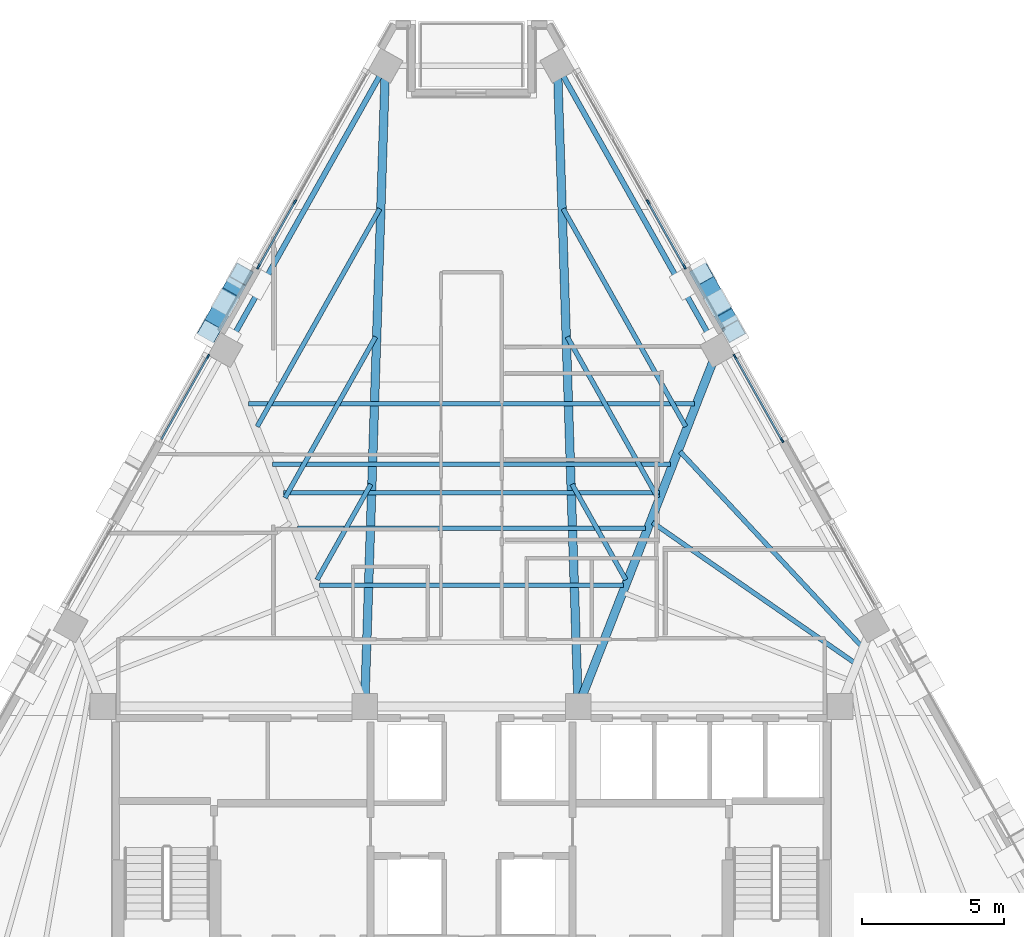
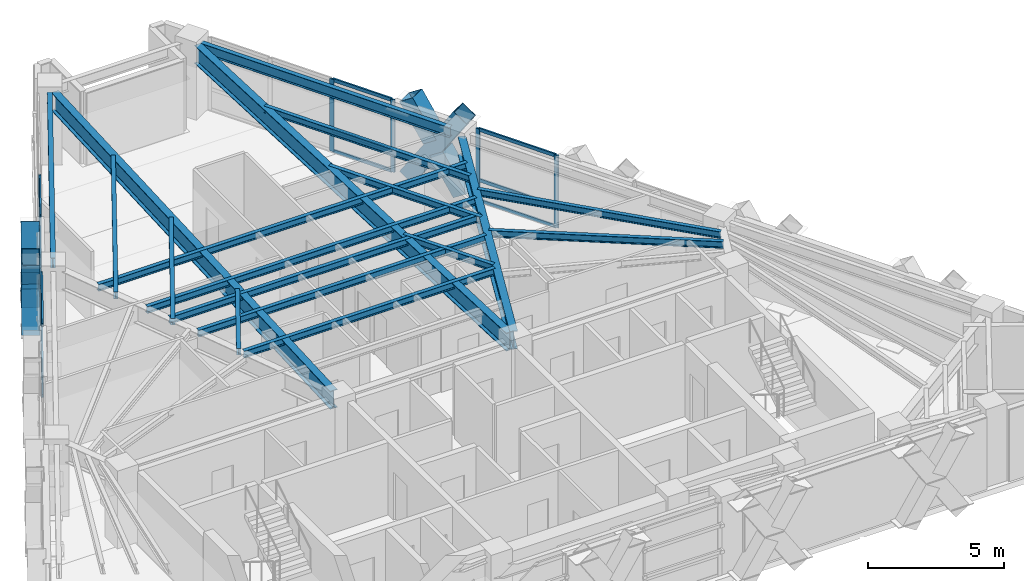
# One storey, part 4 of 15: 25 members, 18 beams, 4 elements without a shape of their own.
"""IFC4 building model written with IfcOpenShell, lengths in metres."""

from ifc_helpers import new_model, si_unit, direction, frame, origin, origin_2d, place, context, subcontext, project, spatial, rectangle, hollow_rectangle, i_section, extrude, material, material_profile, profile_set, type_object, element, aggregate, save


model = new_model("IFC4")

# Units and contexts
model_context = context("Model", 3, precision=1e-05, world=origin(), true_north=direction((0.0, 1.0)))
body_context = subcontext(model_context, "Body", "Model", "MODEL_VIEW")
ifc_project = project(units=[si_unit("LENGTHUNIT", "METRE"), si_unit("AREAUNIT", "SQUARE_METRE"), si_unit("VOLUMEUNIT", "CUBIC_METRE"), si_unit("PLANEANGLEUNIT", "RADIAN"), si_unit("MASSUNIT", "GRAM", prefix="KILO")], contexts=[model_context])

# Site, building, storey
site_placement = place(None, origin())
site = spatial("IfcSite", under=ifc_project, at=site_placement, CompositionType="ELEMENT")
building_placement = place(site_placement, origin())
building = spatial("IfcBuilding", under=site, at=building_placement, Name="Quenlor Broadcast Tower", CompositionType="ELEMENT")
storey_placement = place(building_placement, frame((0.0, 0.0, 183.39990234375)))
storey = spatial("IfcBuildingStorey", under=building, at=storey_placement, Name="L50", CompositionType="ELEMENT", Elevation=183.39990234375)

# Curtain wall, members
ifc_material_1 = material(Name="Architectural Terracotta and Low-E Glazing", Category="masonry")
curtain_wall_type = type_object("IfcCurtainWallType", Name="Unitised Terracotta Curtain Wall System Z4", PredefinedType="NOTDEFINED", material=ifc_material_1)
curtain_wall_1_placement = place(storey_placement, origin())
curtain_wall_1 = element("IfcCurtainWall", 1, at=curtain_wall_1_placement, inside=storey, type_object=curtain_wall_type, Name="L50 Curtain Wall CW4 (L50-NEA-G1)", PredefinedType="NOTDEFINED")
ifc_material_2 = material(Name="Aluminium 6063-T6", Category="aluminium")
ifc_material_profile_1 = material_profile(ifc_material_2, rectangle(XDim=0.068115234375, YDim=0.179931640625, at=origin_2d()))
ifc_profile_set_1 = profile_set([ifc_material_profile_1], Name="Aluminium 6063-T6 MULL68x180")
member_type_1 = type_object("IfcMemberType", Name="CW4 Aluminium Mullion MULL_CW4", PredefinedType="MULLION", material=ifc_profile_set_1)
member_1_placement = place(storey_placement, frame((6.203857421875, 12.911865234375, 0.0), z_axis=(0.0, 0.0, 1.0), x_axis=(0.871576890332, 0.490258833923, 0.0)))
member_1 = element("IfcMember", 2, at=member_1_placement, type_object=member_type_1, Name="CW4 mullion 3", PredefinedType="MULLION", context=body_context, shape_type="SweptSolid", body=[
    extrude(rectangle(XDim=0.068115234375, YDim=0.179931640625, at=origin_2d()), origin(), (0.0, 0.0, 1.0), 3.25),
])
member_2_placement = place(storey_placement, frame((7.477294921875, 10.64794921875, 0.0), z_axis=(0.0, 0.0, 1.0), x_axis=(0.871576890332, 0.490258833923, 0.0)))
member_2 = element("IfcMember", 3, at=member_2_placement, type_object=member_type_1, Name="CW4 mullion 4", PredefinedType="MULLION", context=body_context, shape_type="SweptSolid", body=[
    extrude(rectangle(XDim=0.068115234375, YDim=0.179931640625, at=origin_2d()), origin(), (0.0, 0.0, 1.0), 3.25),
])

curtain_wall_2_placement = place(storey_placement, origin())
curtain_wall_2 = element("IfcCurtainWall", 4, at=curtain_wall_2_placement, inside=storey, type_object=curtain_wall_type, Name="L50 Curtain Wall CW4 (L50-NE-G1)", PredefinedType="NOTDEFINED")
member_3_placement = place(storey_placement, frame((9.257080078125, 7.484130859375, 0.0), z_axis=(0.0, 0.0, 1.0), x_axis=(0.871577871382, 0.490257089819, 0.0)))
member_3 = element("IfcMember", 5, at=member_3_placement, type_object=member_type_1, Name="CW4 mullion 1", PredefinedType="MULLION", context=body_context, shape_type="SweptSolid", body=[
    extrude(rectangle(XDim=0.068115234375, YDim=0.179931640625, at=origin_2d()), origin(), (0.0, 0.0, 1.0), 3.25),
])
member_4_placement = place(storey_placement, frame((10.906494140625, 4.5517578125, 0.0), z_axis=(0.0, 0.0, 1.0), x_axis=(0.871577871382, 0.490257089819, 0.0)))
member_4 = element("IfcMember", 6, at=member_4_placement, type_object=member_type_1, Name="CW4 mullion 2", PredefinedType="MULLION", context=body_context, shape_type="SweptSolid", body=[
    extrude(rectangle(XDim=0.068115234375, YDim=0.179931640625, at=origin_2d()), origin(), (0.0, 0.0, 1.0), 3.25),
])

curtain_wall_3_placement = place(storey_placement, origin())
curtain_wall_3 = element("IfcCurtainWall", 7, at=curtain_wall_3_placement, inside=storey, type_object=curtain_wall_type, Name="L50 Curtain Wall CW4 (L50-NWC-G1)", PredefinedType="NOTDEFINED")
member_5_placement = place(storey_placement, frame((-7.477294921875, 10.64794921875, 0.0), z_axis=(0.0, 0.0, 1.0), x_axis=(-0.871576890332, 0.490258833923, 0.0)))
member_5 = element("IfcMember", 8, at=member_5_placement, type_object=member_type_1, Name="CW4 mullion 1", PredefinedType="MULLION", context=body_context, shape_type="SweptSolid", body=[
    extrude(rectangle(XDim=0.068115234375, YDim=0.179931640625, at=origin_2d()), origin(), (0.0, 0.0, 1.0), 3.25),
])
member_6_placement = place(storey_placement, frame((-6.203857421875, 12.911865234375, 0.0), z_axis=(0.0, 0.0, 1.0), x_axis=(-0.871576890332, 0.490258833923, 0.0)))
member_6 = element("IfcMember", 9, at=member_6_placement, type_object=member_type_1, Name="CW4 mullion 2", PredefinedType="MULLION", context=body_context, shape_type="SweptSolid", body=[
    extrude(rectangle(XDim=0.068115234375, YDim=0.179931640625, at=origin_2d()), origin(), (0.0, 0.0, 1.0), 3.25),
])

# Curtain wall, member
curtain_wall_4_placement = place(storey_placement, origin())
curtain_wall_4 = element("IfcCurtainWall", 10, at=curtain_wall_4_placement, inside=storey, type_object=curtain_wall_type, Name="L50 Curtain Wall CW4 (L50-NW-G2)", PredefinedType="NOTDEFINED")
member_7_placement = place(storey_placement, frame((-9.257080078125, 7.484130859375, 0.0), z_axis=(0.0, 0.0, 1.0), x_axis=(-0.871577871382, 0.490257089819, 0.0)))
member_7 = element("IfcMember", 11, at=member_7_placement, type_object=member_type_1, Name="CW4 mullion 2", PredefinedType="MULLION", context=body_context, shape_type="SweptSolid", body=[
    extrude(rectangle(XDim=0.068115234375, YDim=0.179931640625, at=origin_2d()), origin(), (0.0, 0.0, 1.0), 3.25),
])

# Member
ifc_material_3 = material(Name="Aluminium 6063-T6", Category="aluminium")
ifc_material_profile_2 = material_profile(ifc_material_3, rectangle(XDim=0.068115234375, YDim=0.14990234375, at=origin_2d()))
ifc_profile_set_2 = profile_set([ifc_material_profile_2], Name="Aluminium 6063-T6 TRAN68x150")
member_type_2 = type_object("IfcMemberType", Name="CW4 Aluminium Transom TRAN_CW4", PredefinedType="USERDEFINED", material=ifc_profile_set_2)
member_8_placement = place(storey_placement, frame((6.220703125, 12.882080078125, 0.0341796875), z_axis=(0.490233743591, -0.871591003077, 0.0), x_axis=(0.871591003077, 0.490233743591, 0.0)))
member_8 = element("IfcMember", 12, at=member_8_placement, type_object=member_type_2, Name="CW4 transom 3.1", ObjectType="TRANSOM", PredefinedType="USERDEFINED", context=body_context, shape_type="SweptSolid", body=[
    extrude(rectangle(XDim=0.068115234375, YDim=0.14990234375, at=origin_2d()), origin(), (0.0, 0.0, 1.0), 2.529296875),
])

member_9_placement = place(storey_placement, frame((6.220703125, 12.882080078125, 0.9501953125), z_axis=(0.490233743591, -0.871591003077, 0.0), x_axis=(0.871591003077, 0.490233743591, 0.0)))
member_9 = element("IfcMember", 13, at=member_9_placement, type_object=member_type_2, Name="CW4 transom 3.2", ObjectType="TRANSOM", PredefinedType="USERDEFINED", context=body_context, shape_type="SweptSolid", body=[
    extrude(rectangle(XDim=0.068115234375, YDim=0.14990234375, at=origin_2d()), origin(), (0.0, 0.0, 1.0), 2.529296875),
])

member_10_placement = place(storey_placement, frame((6.220703125, 12.882080078125, 3.216064453125), z_axis=(0.490233743591, -0.871591003077, 0.0), x_axis=(0.871591003077, 0.490233743591, 0.0)))
member_10 = element("IfcMember", 14, at=member_10_placement, type_object=member_type_2, Name="CW4 transom 3.3", ObjectType="TRANSOM", PredefinedType="USERDEFINED", context=body_context, shape_type="SweptSolid", body=[
    extrude(rectangle(XDim=0.068115234375, YDim=0.14990234375, at=origin_2d()), origin(), (0.0, 0.0, 1.0), 2.529296875),
])

aggregate(curtain_wall_1, [member_1, member_2, member_8, member_9, member_10])

member_11_placement = place(storey_placement, frame((9.273681640625, 7.454345703125, 0.0341796875), z_axis=(0.490264756272, -0.871573559005, 0.0), x_axis=(0.871573559005, 0.490264756272, 0.0)))
member_11 = element("IfcMember", 15, at=member_11_placement, type_object=member_type_2, Name="CW4 transom 1.1", ObjectType="TRANSOM", PredefinedType="USERDEFINED", context=body_context, shape_type="SweptSolid", body=[
    extrude(rectangle(XDim=0.068115234375, YDim=0.14990234375, at=origin_2d()), origin(), (0.0, 0.0, 1.0), 3.296142578125),
])

member_12_placement = place(storey_placement, frame((9.273681640625, 7.454345703125, 0.9501953125), z_axis=(0.490264756272, -0.871573559005, 0.0), x_axis=(0.871573559005, 0.490264756272, 0.0)))
member_12 = element("IfcMember", 16, at=member_12_placement, type_object=member_type_2, Name="CW4 transom 1.2", ObjectType="TRANSOM", PredefinedType="USERDEFINED", context=body_context, shape_type="SweptSolid", body=[
    extrude(rectangle(XDim=0.068115234375, YDim=0.14990234375, at=origin_2d()), origin(), (0.0, 0.0, 1.0), 3.296142578125),
])

member_13_placement = place(storey_placement, frame((9.273681640625, 7.454345703125, 3.216064453125), z_axis=(0.490264756272, -0.871573559005, 0.0), x_axis=(0.871573559005, 0.490264756272, 0.0)))
member_13 = element("IfcMember", 17, at=member_13_placement, type_object=member_type_2, Name="CW4 transom 1.3", ObjectType="TRANSOM", PredefinedType="USERDEFINED", context=body_context, shape_type="SweptSolid", body=[
    extrude(rectangle(XDim=0.068115234375, YDim=0.14990234375, at=origin_2d()), origin(), (0.0, 0.0, 1.0), 3.296142578125),
])

aggregate(curtain_wall_2, [member_3, member_4, member_11, member_12, member_13])

member_14_placement = place(storey_placement, frame((-7.460693359375, 10.677490234375, 0.0341796875), z_axis=(0.490233743591, 0.871591003077, 0.0), x_axis=(-0.871591003077, 0.490233743591, 0.0)))
member_14 = element("IfcMember", 18, at=member_14_placement, type_object=member_type_2, Name="CW4 transom 1.1", ObjectType="TRANSOM", PredefinedType="USERDEFINED", context=body_context, shape_type="SweptSolid", body=[
    extrude(rectangle(XDim=0.068115234375, YDim=0.14990234375, at=origin_2d()), origin(), (0.0, 0.0, 1.0), 2.529296875),
])

member_15_placement = place(storey_placement, frame((-7.460693359375, 10.677490234375, 0.9501953125), z_axis=(0.490233743591, 0.871591003077, 0.0), x_axis=(-0.871591003077, 0.490233743591, 0.0)))
member_15 = element("IfcMember", 19, at=member_15_placement, type_object=member_type_2, Name="CW4 transom 1.2", ObjectType="TRANSOM", PredefinedType="USERDEFINED", context=body_context, shape_type="SweptSolid", body=[
    extrude(rectangle(XDim=0.068115234375, YDim=0.14990234375, at=origin_2d()), origin(), (0.0, 0.0, 1.0), 2.529296875),
])

member_16_placement = place(storey_placement, frame((-7.460693359375, 10.677490234375, 3.216064453125), z_axis=(0.490233743591, 0.871591003077, 0.0), x_axis=(-0.871591003077, 0.490233743591, 0.0)))
member_16 = element("IfcMember", 20, at=member_16_placement, type_object=member_type_2, Name="CW4 transom 1.3", ObjectType="TRANSOM", PredefinedType="USERDEFINED", context=body_context, shape_type="SweptSolid", body=[
    extrude(rectangle(XDim=0.068115234375, YDim=0.14990234375, at=origin_2d()), origin(), (0.0, 0.0, 1.0), 2.529296875),
])

aggregate(curtain_wall_3, [member_5, member_6, member_14, member_15, member_16])

member_17_placement = place(storey_placement, frame((-10.8896484375, 4.58154296875, 0.0341796875), z_axis=(0.490264756272, 0.871573559005, 0.0), x_axis=(-0.871573559005, 0.490264756272, 0.0)))
member_17 = element("IfcMember", 21, at=member_17_placement, type_object=member_type_2, Name="CW4 transom 1.1", ObjectType="TRANSOM", PredefinedType="USERDEFINED", context=body_context, shape_type="SweptSolid", body=[
    extrude(rectangle(XDim=0.068115234375, YDim=0.14990234375, at=origin_2d()), origin(), (0.0, 0.0, 1.0), 3.296142578125),
])

member_18_placement = place(storey_placement, frame((-10.8896484375, 4.58154296875, 0.9501953125), z_axis=(0.490264756272, 0.871573559005, 0.0), x_axis=(-0.871573559005, 0.490264756272, 0.0)))
member_18 = element("IfcMember", 22, at=member_18_placement, type_object=member_type_2, Name="CW4 transom 1.2", ObjectType="TRANSOM", PredefinedType="USERDEFINED", context=body_context, shape_type="SweptSolid", body=[
    extrude(rectangle(XDim=0.068115234375, YDim=0.14990234375, at=origin_2d()), origin(), (0.0, 0.0, 1.0), 3.296142578125),
])

member_19_placement = place(storey_placement, frame((-10.8896484375, 4.58154296875, 3.216064453125), z_axis=(0.490264756272, 0.871573559005, 0.0), x_axis=(-0.871573559005, 0.490264756272, 0.0)))
member_19 = element("IfcMember", 23, at=member_19_placement, type_object=member_type_2, Name="CW4 transom 1.3", ObjectType="TRANSOM", PredefinedType="USERDEFINED", context=body_context, shape_type="SweptSolid", body=[
    extrude(rectangle(XDim=0.068115234375, YDim=0.14990234375, at=origin_2d()), origin(), (0.0, 0.0, 1.0), 3.296142578125),
])

aggregate(curtain_wall_4, [member_7, member_17, member_18, member_19])

# Members
ifc_material_4 = material(Name="Steel S355", Category="steel")
ifc_material_profile_3 = material_profile(ifc_material_4, hollow_rectangle(XDim=0.679931640625, YDim=0.679931640625, WallThickness=0.02490234375, at=origin_2d()))
ifc_profile_set_3 = profile_set([ifc_material_profile_3], Name="Steel S355 RHS680x680x25")
member_type_3 = type_object("IfcMemberType", Name="Perimeter Diagonal Lattice Brace Z3-Z4 Steel S355 RHS680x25", PredefinedType="BRACE", material=ifc_profile_set_3)
member_20_placement = place(storey_placement, frame((8.079345703125, 10.38330078125, -0.119873046875), z_axis=(0.269547055694, -0.479136497832, 0.835327840559), x_axis=(0.871550060774, 0.49030652817, 0.0)))
element("IfcMember", 24, at=member_20_placement, inside=storey, type_object=member_type_3, Name="L50 Perimeter Diamond Lattice NE-C2XA", PredefinedType="BRACE", context=body_context, shape_type="SweptSolid", body=[
    extrude(hollow_rectangle(XDim=0.679931640625, YDim=0.679931640625, WallThickness=0.02490234375, at=origin_2d()), origin(), (0.0, 0.0, 1.0), 4.18994140625),
])
for number, where, z_axis, x_axis, name in (
    (25, (9.208740234375, 8.375732421875, -0.119873046875), (-0.269535527865, 0.479130165145, 0.835335192642), (-0.871556252289, -0.490295522207, 0.0), "L50 Perimeter Diamond Lattice NE-C2XB1"),
    (26, (8.57666015625, 9.499267578125, 1.8388671875), (-0.269535527865, 0.479130165145, 0.835335192642), (-0.871556252289, -0.490295522207, 0.0), "L50 Perimeter Diamond Lattice NE-C2XB2"),
):
    element("IfcMember", number, at=place(storey_placement, frame(where, z_axis=z_axis, x_axis=x_axis)), inside=storey, type_object=member_type_3, Name=name, PredefinedType="BRACE", context=body_context, shape_type="SweptSolid", body=[
        extrude(hollow_rectangle(XDim=0.679931640625, YDim=0.679931640625, WallThickness=0.02490234375, at=origin_2d()), origin(), (0.0, 0.0, 1.0), 1.844970703125),
    ])
member_21_placement = place(storey_placement, frame((-9.208740234375, 8.375732421875, -0.119873046875), z_axis=(0.269547055694, 0.479136497832, 0.835327840559), x_axis=(-0.871550060774, 0.49030652817, 0.0)))
element("IfcMember", 27, at=member_21_placement, inside=storey, type_object=member_type_3, Name="L50 Perimeter Diamond Lattice NW-C4XA", PredefinedType="BRACE", context=body_context, shape_type="SweptSolid", body=[
    extrude(hollow_rectangle(XDim=0.679931640625, YDim=0.679931640625, WallThickness=0.02490234375, at=origin_2d()), origin(), (0.0, 0.0, 1.0), 4.18994140625),
])
for number, where, z_axis, x_axis, name in (
    (28, (-8.079345703125, 10.38330078125, -0.119873046875), (-0.269535527865, -0.479130165145, 0.835335192642), (0.871556252289, -0.490295522207, 0.0), "L50 Perimeter Diamond Lattice NW-C4XB1"),
    (29, (-8.71142578125, 9.259765625, 1.8388671875), (-0.269535527865, -0.479130165145, 0.835335192642), (0.871556252289, -0.490295522207, 0.0), "L50 Perimeter Diamond Lattice NW-C4XB2"),
):
    element("IfcMember", number, at=place(storey_placement, frame(where, z_axis=z_axis, x_axis=x_axis)), inside=storey, type_object=member_type_3, Name=name, PredefinedType="BRACE", context=body_context, shape_type="SweptSolid", body=[
        extrude(hollow_rectangle(XDim=0.679931640625, YDim=0.679931640625, WallThickness=0.02490234375, at=origin_2d()), origin(), (0.0, 0.0, 1.0), 1.844970703125),
    ])

# Beams
ifc_material_5 = material(Name="Steel S355", Category="steel")
ifc_material_profile_4 = material_profile(ifc_material_5, i_section(OverallWidth=0.18994140625, OverallDepth=0.453857421875, WebThickness=0.008544921875, FlangeThickness=0.0126953125, FilletRadius=0.011474609375, at=origin_2d()))
ifc_profile_set_4 = profile_set([ifc_material_profile_4], Name="Steel S355 460UB67.1")
beam_type_1 = type_object("IfcBeamType", Name="Perimeter Spandrel Beam Z4 Steel S355 460UB67.1", PredefinedType="SPANDREL", material=ifc_profile_set_4)
for number, where, z_axis, x_axis, name in (
    (30, (8.438720703125, 8.072265625, 3.023193359375), (-0.490281935429, 0.871563895415, 0.0), (-0.871563895415, -0.490281935429, 0.0), "L50 Spandrel Beam NE3-NE4"),
    (31, (-3.221435546875, 17.346923828125, 3.023193359375), (-0.490281935429, -0.871563895415, 0.0), (0.871563895415, -0.490281935429, 0.0), "L50 Spandrel Beam NW1-NW2"),
):
    element("IfcBeam", number, at=place(storey_placement, frame(where, z_axis=z_axis, x_axis=x_axis)), inside=storey, type_object=beam_type_1, Name=name, PredefinedType="SPANDREL", context=body_context, shape_type="SweptSolid", body=[
        extrude(i_section(OverallWidth=0.18994140625, OverallDepth=0.453857421875, WebThickness=0.008544921875, FlangeThickness=0.0126953125, FilletRadius=0.011474609375, at=origin_2d()), origin(), (0.0, 0.0, 1.0), 10.641357421875),
    ])
ifc_material_6 = material(Name="Steel S355", Category="steel")
ifc_material_profile_5 = material_profile(ifc_material_6, i_section(OverallWidth=0.300048828125, OverallDepth=0.81591796875, WebThickness=0.013916015625, FlangeThickness=0.028076171875, FilletRadius=0.013916015625, at=origin_2d()))
ifc_profile_set_5 = profile_set([ifc_material_profile_5], Name="Steel S355 800WB192")
beam_type_2 = type_object("IfcBeamType", Name="Sky Lobby Primary Girder Steel S355 800WB192", PredefinedType="BEAM", material=ifc_profile_set_5)
beam_1_placement = place(storey_placement, frame((8.490478515625, 7.3330078125, 2.842041015625), z_axis=(-0.363926160921, -0.931427801495, 0.0), x_axis=(0.931427801495, -0.363926160921, 0.0)))
element("IfcBeam", 32, at=beam_1_placement, inside=storey, type_object=beam_type_2, Name="L50 Primary Radial Beam NE3", PredefinedType="BEAM", context=body_context, shape_type="SweptSolid", body=[
    extrude(i_section(OverallWidth=0.300048828125, OverallDepth=0.81591796875, WebThickness=0.013916015625, FlangeThickness=0.028076171875, FilletRadius=0.013916015625, at=origin_2d()), origin(), (0.0, 0.0, 1.0), 12.646240234375),
])
for number, where, z_axis, x_axis, name in (
    (33, (3.03369140625, 17.29443359375, 2.842041015625), (0.032408228632, -0.999474715397, 0.0), (0.999474715397, 0.032408228632, 0.0), "L50 Primary Radial Beam NE4"),
    (34, (-3.03369140625, 17.29443359375, 2.842041015625), (-0.032408228632, -0.999474715397, 0.0), (0.999474715397, -0.032408228632, 0.0), "L50 Primary Radial Beam NW1"),
):
    element("IfcBeam", number, at=place(storey_placement, frame(where, z_axis=z_axis, x_axis=x_axis)), inside=storey, type_object=beam_type_2, Name=name, PredefinedType="BEAM", context=body_context, shape_type="SweptSolid", body=[
        extrude(i_section(OverallWidth=0.300048828125, OverallDepth=0.81591796875, WebThickness=0.013916015625, FlangeThickness=0.028076171875, FilletRadius=0.013916015625, at=origin_2d()), origin(), (0.0, 0.0, 1.0), 21.72607421875),
    ])
ifc_material_7 = material(Name="Steel S355", Category="steel")
ifc_material_profile_6 = material_profile(ifc_material_7, i_section(OverallWidth=0.166015625, OverallDepth=0.30712890625, WebThickness=0.006591796875, FlangeThickness=0.01171875, FilletRadius=0.011474609375, at=origin_2d()))
ifc_profile_set_6 = profile_set([ifc_material_profile_6], Name="Steel S355 310UB46.2")
beam_type_3 = type_object("IfcBeamType", Name="Tower Composite Joist Z4-Z5 Steel S355 310UB46.2", PredefinedType="JOIST", material=ifc_profile_set_6)
beam_2_placement = place(storey_placement, frame((-6.603759765625, 2.708984375, 3.096435546875), z_axis=(1.0, 0.0, 0.0), x_axis=(0.0, 1.0, 0.0)))
element("IfcBeam", 35, at=beam_2_placement, inside=storey, type_object=beam_type_3, Name="L50 Secondary Composite Joist 2", PredefinedType="JOIST", context=body_context, shape_type="SweptSolid", body=[
    extrude(i_section(OverallWidth=0.166015625, OverallDepth=0.30712890625, WebThickness=0.006591796875, FlangeThickness=0.01171875, FilletRadius=0.011474609375, at=origin_2d()), origin(), (0.0, 0.0, 1.0), 13.20751953125),
])
beam_3_placement = place(storey_placement, frame((-5.33251953125, -0.544921875, 3.096435546875), z_axis=(1.0, 0.0, 0.0), x_axis=(0.0, 1.0, 0.0)))
element("IfcBeam", 36, at=beam_3_placement, inside=storey, type_object=beam_type_3, Name="L50 Secondary Composite Joist 3", PredefinedType="JOIST", context=body_context, shape_type="SweptSolid", body=[
    extrude(i_section(OverallWidth=0.166015625, OverallDepth=0.30712890625, WebThickness=0.006591796875, FlangeThickness=0.01171875, FilletRadius=0.011474609375, at=origin_2d()), origin(), (0.0, 0.0, 1.0), 10.6650390625),
])
beam_4_placement = place(storey_placement, frame((-6.11474609375, 1.45751953125, 3.096435546875), z_axis=(1.0, 0.0, 0.0), x_axis=(0.0, 1.0, 0.0)))
element("IfcBeam", 37, at=beam_4_placement, inside=storey, type_object=beam_type_3, Name="L50 Secondary Composite Joist 4", PredefinedType="JOIST", context=body_context, shape_type="SweptSolid", body=[
    extrude(i_section(OverallWidth=0.166015625, OverallDepth=0.30712890625, WebThickness=0.006591796875, FlangeThickness=0.01171875, FilletRadius=0.011474609375, at=origin_2d()), origin(), (0.0, 0.0, 1.0), 12.2294921875),
])
beam_5_placement = place(storey_placement, frame((-6.994873046875, 3.710205078125, 3.096435546875), z_axis=(1.0, 0.0, 0.0), x_axis=(0.0, 1.0, 0.0)))
element("IfcBeam", 38, at=beam_5_placement, inside=storey, type_object=beam_type_3, Name="L50 Secondary Composite Joist 5", PredefinedType="JOIST", context=body_context, shape_type="SweptSolid", body=[
    extrude(i_section(OverallWidth=0.166015625, OverallDepth=0.30712890625, WebThickness=0.006591796875, FlangeThickness=0.01171875, FilletRadius=0.011474609375, at=origin_2d()), origin(), (0.0, 0.0, 1.0), 13.98974609375),
])
beam_6_placement = place(storey_placement, frame((-7.826171875, 5.837646484375, 3.096435546875), z_axis=(1.0, 0.0, 0.0), x_axis=(0.0, 1.0, 0.0)))
element("IfcBeam", 39, at=beam_6_placement, inside=storey, type_object=beam_type_3, Name="L50 Secondary Composite Joist 6", PredefinedType="JOIST", context=body_context, shape_type="SweptSolid", body=[
    extrude(i_section(OverallWidth=0.166015625, OverallDepth=0.30712890625, WebThickness=0.006591796875, FlangeThickness=0.01171875, FilletRadius=0.011474609375, at=origin_2d()), origin(), (0.0, 0.0, 1.0), 15.65234375),
])
beam_7_placement = place(storey_placement, frame((13.470458984375, -3.273681640625, 3.096435546875), z_axis=(-0.821539857981, 0.570151086773, 0.0), x_axis=(-0.570151086773, -0.821539857981, 0.0)))
element("IfcBeam", 40, at=beam_7_placement, inside=storey, type_object=beam_type_3, Name="L50 Secondary Composite Joist 11", PredefinedType="JOIST", context=body_context, shape_type="SweptSolid", body=[
    extrude(i_section(OverallWidth=0.166015625, OverallDepth=0.30712890625, WebThickness=0.006591796875, FlangeThickness=0.01171875, FilletRadius=0.011474609375, at=origin_2d()), origin(), (0.0, 0.0, 1.0), 8.656982421875),
])
beam_8_placement = place(storey_placement, frame((13.707275390625, -2.691162109375, 3.096435546875), z_axis=(-0.682034672805, 0.731319837754, 0.0), x_axis=(-0.731319837754, -0.682034672805, 0.0)))
element("IfcBeam", 41, at=beam_8_placement, inside=storey, type_object=beam_type_3, Name="L50 Secondary Composite Joist 12", PredefinedType="JOIST", context=body_context, shape_type="SweptSolid", body=[
    extrude(i_section(OverallWidth=0.166015625, OverallDepth=0.30712890625, WebThickness=0.006591796875, FlangeThickness=0.01171875, FilletRadius=0.011474609375, at=origin_2d()), origin(), (0.0, 0.0, 1.0), 9.357421875),
])
beam_9_placement = place(storey_placement, frame((-3.533935546875, 3.0068359375, 3.096435546875), z_axis=(-0.490243182397, -0.871585694073, 0.0), x_axis=(0.871585694073, -0.490243182397, 0.0)))
element("IfcBeam", 42, at=beam_9_placement, inside=storey, type_object=beam_type_3, Name="L50 Secondary Composite Joist 25", PredefinedType="JOIST", context=body_context, shape_type="SweptSolid", body=[
    extrude(i_section(OverallWidth=0.166015625, OverallDepth=0.30712890625, WebThickness=0.006591796875, FlangeThickness=0.01171875, FilletRadius=0.011474609375, at=origin_2d()), origin(), (0.0, 0.0, 1.0), 3.8515625),
])
beam_10_placement = place(storey_placement, frame((-3.3662109375, 8.182861328125, 3.096435546875), z_axis=(-0.490230865807, -0.871592621705, 0.0), x_axis=(0.871592621705, -0.490230865807, 0.0)))
element("IfcBeam", 43, at=beam_10_placement, inside=storey, type_object=beam_type_3, Name="L50 Secondary Composite Joist 26", PredefinedType="JOIST", context=body_context, shape_type="SweptSolid", body=[
    extrude(i_section(OverallWidth=0.166015625, OverallDepth=0.30712890625, WebThickness=0.006591796875, FlangeThickness=0.01171875, FilletRadius=0.011474609375, at=origin_2d()), origin(), (0.0, 0.0, 1.0), 6.487548828125),
])
beam_11_placement = place(storey_placement, frame((-3.22021484375, 12.68359375, 3.096435546875), z_axis=(-0.490261239633, -0.871575537125, 0.0), x_axis=(0.871575537125, -0.490261239633, 0.0)))
element("IfcBeam", 44, at=beam_11_placement, inside=storey, type_object=beam_type_3, Name="L50 Secondary Composite Joist 27", PredefinedType="JOIST", context=body_context, shape_type="SweptSolid", body=[
    extrude(i_section(OverallWidth=0.166015625, OverallDepth=0.30712890625, WebThickness=0.006591796875, FlangeThickness=0.01171875, FilletRadius=0.011474609375, at=origin_2d()), origin(), (0.0, 0.0, 1.0), 8.77978515625),
])
beam_12_placement = place(storey_placement, frame((3.533935546875, 3.0068359375, 3.096435546875), z_axis=(0.490243182397, -0.871585694073, 0.0), x_axis=(0.871585694073, 0.490243182397, 0.0)))
element("IfcBeam", 45, at=beam_12_placement, inside=storey, type_object=beam_type_3, Name="L50 Secondary Composite Joist 28", PredefinedType="JOIST", context=body_context, shape_type="SweptSolid", body=[
    extrude(i_section(OverallWidth=0.166015625, OverallDepth=0.30712890625, WebThickness=0.006591796875, FlangeThickness=0.01171875, FilletRadius=0.011474609375, at=origin_2d()), origin(), (0.0, 0.0, 1.0), 3.8515625),
])
beam_13_placement = place(storey_placement, frame((3.3662109375, 8.182861328125, 3.096435546875), z_axis=(0.490230865807, -0.871592621705, 0.0), x_axis=(0.871592621705, 0.490230865807, 0.0)))
element("IfcBeam", 46, at=beam_13_placement, inside=storey, type_object=beam_type_3, Name="L50 Secondary Composite Joist 29", PredefinedType="JOIST", context=body_context, shape_type="SweptSolid", body=[
    extrude(i_section(OverallWidth=0.166015625, OverallDepth=0.30712890625, WebThickness=0.006591796875, FlangeThickness=0.01171875, FilletRadius=0.011474609375, at=origin_2d()), origin(), (0.0, 0.0, 1.0), 6.487548828125),
])
beam_14_placement = place(storey_placement, frame((3.22021484375, 12.68359375, 3.096435546875), z_axis=(0.490261239633, -0.871575537125, 0.0), x_axis=(0.871575537125, 0.490261239633, 0.0)))
element("IfcBeam", 47, at=beam_14_placement, inside=storey, type_object=beam_type_3, Name="L50 Secondary Composite Joist 30", PredefinedType="JOIST", context=body_context, shape_type="SweptSolid", body=[
    extrude(i_section(OverallWidth=0.166015625, OverallDepth=0.30712890625, WebThickness=0.006591796875, FlangeThickness=0.01171875, FilletRadius=0.011474609375, at=origin_2d()), origin(), (0.0, 0.0, 1.0), 8.77978515625),
])

save(model, "model.ifc")
